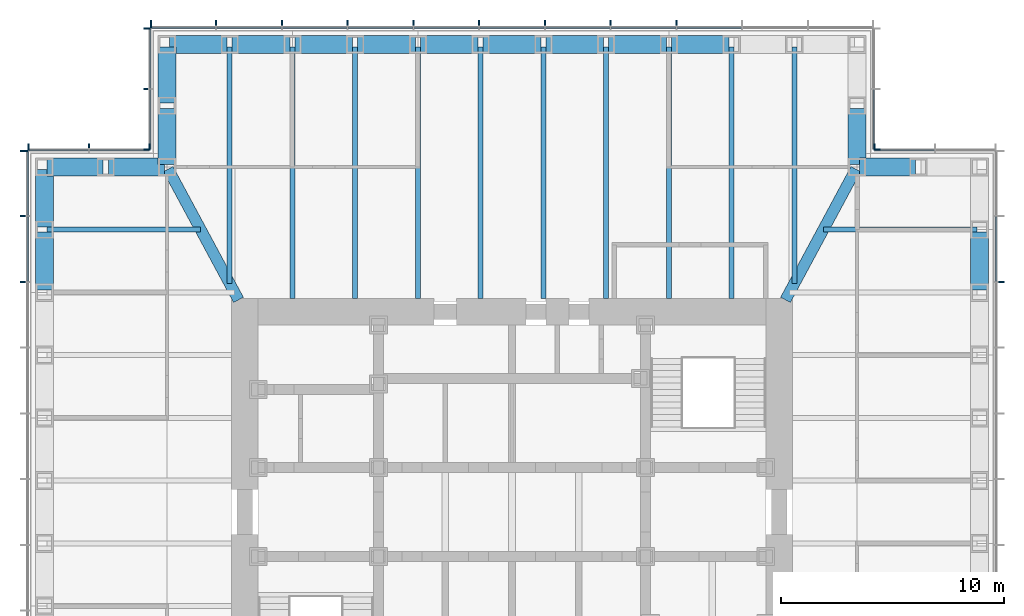
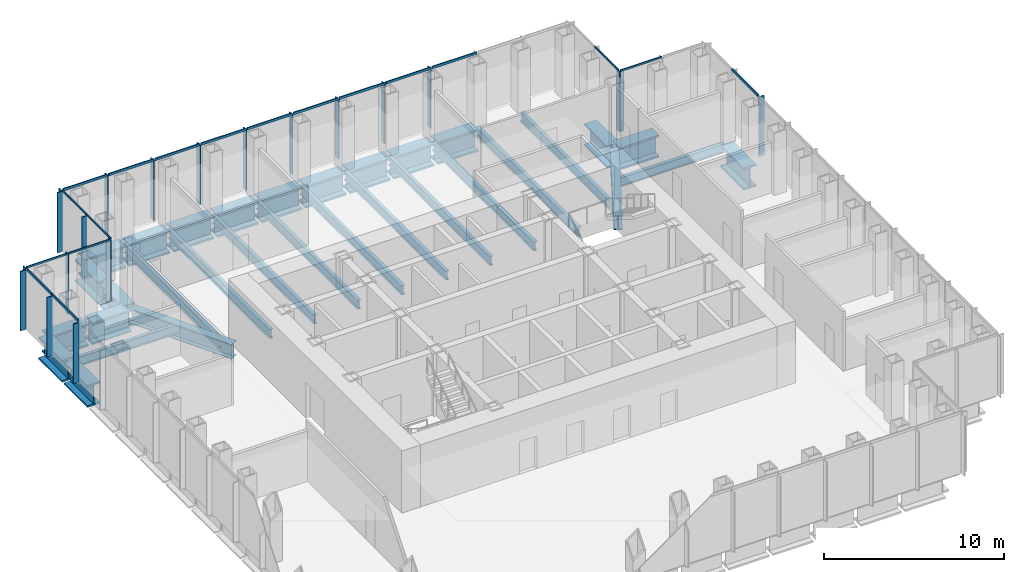
# One storey, part 5 of 16: 39 members, 32 beams, 7 elements without a shape of their own.
"""IFC4 building model written with IfcOpenShell, lengths in metres."""

import ifcopenshell
import ifcopenshell.guid

model = None  # the IFC model being written
_history = None  # IfcOwnerHistory: only IFC2X3 demands one
_inside = {}  # id of a spatial element -> (the spatial element, [elements in it])
_under = {}  # id of a project, library or spatial element -> (it, [spatial elements below it])
_declared = {}  # id of a project -> (the project, [libraries it declares])
_typed = {}  # id of a type object -> (the type object, [elements of that type])
_made_of = {}  # id of a material, layer set ... -> (it, [elements and type objects made of it])


def new_model(schema):
    """Start an empty IFC model of exactly this schema.

    Asked for "IFC4X3", IfcOpenShell would pick the latest addendum, in which some entities
    have other attributes; the version numbers below select the first issue.
    IFC2X3 requires an IfcOwnerHistory on every rooted entity: one is made here for all.
    """
    global model, _history
    if schema == "IFC4X3":
        model = ifcopenshell.file(schema_version=(4, 3, 0, 0))
    else:
        model = ifcopenshell.file(schema=schema)
    _inside.clear()
    _under.clear()
    _declared.clear()
    _typed.clear()
    _made_of.clear()
    _history = None
    if model.schema == "IFC2X3":
        org = make("IfcOrganization", Name="unknown")
        user = make(
            "IfcPersonAndOrganization",
            ThePerson=make("IfcPerson", FamilyName="unknown"),
            TheOrganization=org,
        )
        app = make(
            "IfcApplication",
            ApplicationDeveloper=org,
            Version="unknown",
            ApplicationFullName="unknown",
            ApplicationIdentifier="unknown",
        )
        _history = make(
            "IfcOwnerHistory",
            OwningUser=user,
            OwningApplication=app,
            ChangeAction="ADDED",
            CreationDate=0,
        )
    return model


def make(cls, **values):
    """One entity of the class cls with the attributes given. An attribute that is None is left unset."""
    return model.create_entity(
        cls, **{name: value for name, value in values.items() if value is not None}
    )


def rooted(cls, **values):
    """An entity with a GlobalId (a new one), such as an element, a storey or a relation."""
    return make(cls, GlobalId=ifcopenshell.guid.new(), OwnerHistory=_history, **values)


def si_unit(unit_type, name, prefix=None):
    """IfcSIUnit, for example si_unit("LENGTHUNIT", "METRE", prefix="MILLI")."""
    return make("IfcSIUnit", UnitType=unit_type, Prefix=prefix, Name=name)


def assignment(units):
    """IfcUnitAssignment: the units of a project."""
    return None if units is None else make("IfcUnitAssignment", Units=units)


def point(xyz):
    """IfcCartesianPoint."""
    return None if xyz is None else make("IfcCartesianPoint", Coordinates=xyz)


def direction(xyz):
    """IfcDirection."""
    return None if xyz is None else make("IfcDirection", DirectionRatios=xyz)


def frame(location, z_axis=None, x_axis=None):
    """IfcAxis2Placement3D, a coordinate frame: its origin and axes. An axis left out is left unset."""
    return make(
        "IfcAxis2Placement3D",
        Location=point(location),
        Axis=direction(z_axis),
        RefDirection=direction(x_axis),
    )


def frame_2d(location, x_axis=None):
    """IfcAxis2Placement2D, a coordinate frame in the plane: its origin and x axis."""
    return make(
        "IfcAxis2Placement2D", Location=point(location), RefDirection=direction(x_axis)
    )


def origin():
    """The frame at (0, 0, 0) with its axes left unset."""
    return frame((0.0, 0.0, 0.0))


def origin_2d():
    """The frame at (0, 0) in the plane with its x axis left unset."""
    return frame_2d((0.0, 0.0))


def place(relative_to, where):
    """IfcLocalPlacement: puts the frame where relative to a parent placement (None: the world)."""
    return make(
        "IfcLocalPlacement", PlacementRelTo=relative_to, RelativePlacement=where
    )


def context(
    kind, dimensions, precision=None, world=None, true_north=None, identifier=None
):
    """IfcGeometricRepresentationContext, for example the 3D "Model" context."""
    return make(
        "IfcGeometricRepresentationContext",
        ContextIdentifier=identifier,
        ContextType=kind,
        CoordinateSpaceDimension=dimensions,
        Precision=precision,
        WorldCoordinateSystem=world,
        TrueNorth=true_north,
    )


def subcontext(parent, identifier, kind, view, scale=None):
    """IfcGeometricRepresentationSubContext, for example "Body" below "Model"."""
    return make(
        "IfcGeometricRepresentationSubContext",
        ContextIdentifier=identifier,
        ContextType=kind,
        ParentContext=parent,
        TargetScale=scale,
        TargetView=view,
    )


def project(units=None, contexts=None):
    """IfcProject with its units and contexts."""
    return rooted(
        "IfcProject",
        Name="project",
        RepresentationContexts=contexts,
        UnitsInContext=assignment(units),
    )


def spatial(cls, under=None, at=None, **own):
    """A site, building, storey or space (cls), placed at a placement, below another one or the project."""
    s = rooted(cls, ObjectPlacement=at, **own)
    if under is not None:
        _under.setdefault(under.id(), (under, []))[1].append(s)
    return s


def profile(cls, at=None, kind="AREA", **sizes):
    """A parametric profile (cls). Its sizes go by their IFC names, for example OverallWidth=200.0."""
    return make(cls, ProfileType=kind, Position=at, **sizes)


def rectangle(**sizes):
    """IfcRectangleProfileDef."""
    return profile("IfcRectangleProfileDef", **sizes)


def i_section(**sizes):
    """IfcIShapeProfileDef."""
    return profile("IfcIShapeProfileDef", **sizes)


def extrude(swept, where, along, depth):
    """IfcExtrudedAreaSolid: the profile swept, set in the frame where, extruded along a direction by depth."""
    return make(
        "IfcExtrudedAreaSolid",
        SweptArea=swept,
        Position=where,
        ExtrudedDirection=direction(along),
        Depth=depth,
    )


def shape(context_of_items, identifier, shape_type, items):
    """IfcShapeRepresentation: the items that make up one representation, for example the "Body"."""
    return make(
        "IfcShapeRepresentation",
        ContextOfItems=context_of_items,
        RepresentationIdentifier=identifier,
        RepresentationType=shape_type,
        Items=items,
    )


def material(Name=None, Category=None):
    """IfcMaterial."""
    return make("IfcMaterial", Name=Name, Category=Category)


def material_profile(
    of_material, cross_section, Name=None, Category=None, Priority=None
):
    """IfcMaterialProfile: a cross section and its material."""
    return make(
        "IfcMaterialProfile",
        Name=Name,
        Material=of_material,
        Profile=cross_section,
        Priority=Priority,
        Category=Category,
    )


def profile_set(profiles, Name=None, composite=None):
    """IfcMaterialProfileSet."""
    return make(
        "IfcMaterialProfileSet",
        Name=Name,
        MaterialProfiles=profiles,
        CompositeProfile=composite,
    )


def made_of(thing, what):
    """Note that an element or type object is made of a material, layer set ...; save() writes the relation."""
    if what is not None:
        _made_of.setdefault(what.id(), (what, []))[1].append(thing)
    return thing


def type_object(cls, material=None, **own):
    """A type object (cls), such as IfcWallType, which elements share."""
    return made_of(rooted(cls, **own), material)


def element(
    cls,
    number,
    at=None,
    inside=None,
    cuts=None,
    type_object=None,
    material=None,
    context=None,
    identifier="Body",
    shape_type=None,
    held_by="IfcProductDefinitionShape",
    body=None,
    shapes=None,
    **own,
):
    """One element of the class cls, such as IfcWall. Its Tag is "e" and its number.

    at: its placement. inside: the storey or other place that contains it. cuts: it is an
    opening in that element (IfcRelVoidsElement). A single representation is given by context,
    identifier, shape_type and body (its items); several are given by shapes. held_by: the class
    of the entity that holds the representations. save() writes the other relations.
    """
    e = rooted(cls, Tag="e%d" % number, ObjectPlacement=at, **own)
    if body is not None:
        shapes = [shape(context, identifier, shape_type, body)]
    if shapes is not None:
        e.Representation = make(held_by, Representations=shapes)
    if inside is not None:
        _inside.setdefault(inside.id(), (inside, []))[1].append(e)
    if cuts is not None:
        rooted(
            "IfcRelVoidsElement", RelatingBuildingElement=cuts, RelatedOpeningElement=e
        )
    if type_object is not None:
        _typed.setdefault(type_object.id(), (type_object, []))[1].append(e)
    return made_of(e, material)


def aggregate(whole, parts):
    """IfcRelAggregates: a whole, such as a stair, and the parts it consists of."""
    return rooted("IfcRelAggregates", RelatingObject=whole, RelatedObjects=parts)


def save(model, path):
    """Write the relations noted so far, then the file.

    IfcRelAggregates (storeys below a building ...), IfcRelContainedInSpatialStructure (elements
    in a storey), IfcRelDefinesByType, IfcRelAssociatesMaterial and IfcRelDeclares: one each for
    every whole, place, type object, material and project.
    """
    for whole, parts in _under.values():
        aggregate(whole, parts)
    for where, things in _inside.values():
        rooted(
            "IfcRelContainedInSpatialStructure",
            RelatedElements=things,
            RelatingStructure=where,
        )
    for kind, things in _typed.values():
        rooted("IfcRelDefinesByType", RelatedObjects=things, RelatingType=kind)
    for what, things in _made_of.values():
        rooted("IfcRelAssociatesMaterial", RelatedObjects=things, RelatingMaterial=what)
    for by, libraries in _declared.values():
        rooted("IfcRelDeclares", RelatingContext=by, RelatedDefinitions=libraries)
    model.write(path)


model = new_model("IFC4")

# Units and contexts
model_context = context("Model", 3, precision=1e-05, world=origin(), true_north=direction((0.0, 1.0)))
body_context = subcontext(model_context, "Body", "Model", "MODEL_VIEW")
ifc_project = project(units=[si_unit("LENGTHUNIT", "METRE"), si_unit("AREAUNIT", "SQUARE_METRE"), si_unit("VOLUMEUNIT", "CUBIC_METRE"), si_unit("PLANEANGLEUNIT", "RADIAN"), si_unit("MASSUNIT", "GRAM", prefix="KILO")], contexts=[model_context])

# Site, building, storey
site_placement = place(None, origin())
site = spatial("IfcSite", under=ifc_project, at=site_placement, CompositionType="ELEMENT")
building_placement = place(site_placement, origin())
building = spatial("IfcBuilding", under=site, at=building_placement, Name="Daluyong Arena Tower", CompositionType="ELEMENT")
storey_placement = place(building_placement, frame((0.0, 0.0, 214.89990234375)))
storey = spatial("IfcBuildingStorey", under=building, at=storey_placement, Name="L48", CompositionType="ELEMENT", Elevation=214.89990234375)

# Curtain wall, member
ifc_material_1 = material(Name="Bronze anodised aluminium and glass", Category="aluminium")
curtain_wall_type_1 = type_object("IfcCurtainWallType", Name="Curtain wall CW3", PredefinedType="USERDEFINED", material=ifc_material_1)
curtain_wall_1_placement = place(storey_placement, origin())
curtain_wall_1 = element("IfcCurtainWall", 1, at=curtain_wall_1_placement, inside=storey, type_object=curtain_wall_type_1, Name="curtain wall L48 E", ObjectType="UNITISED CURTAIN WALL", PredefinedType="USERDEFINED")
ifc_material_2 = material(Name="Bronze anodised aluminium fin", Category="aluminium")
ifc_material_profile_1 = material_profile(ifc_material_2, rectangle(XDim=0.35009765625, YDim=0.070068359375, at=origin_2d()))
ifc_profile_set_1 = profile_set([ifc_material_profile_1], Name="Bronze anodised aluminium fin")
member_type_1 = type_object("IfcMemberType", Name="CW3 bronze fin 350x70", PredefinedType="MULLION", material=ifc_profile_set_1)
member_1_placement = place(storey_placement, frame((77.925048828125, 90.3408203125, 0.0), z_axis=(0.0, 0.0, 1.0), x_axis=(-1.0, 0.0, 0.0)))
member_1 = element("IfcMember", 2, at=member_1_placement, type_object=member_type_1, Name="curtain wall L48 E fin 10", PredefinedType="MULLION", context=body_context, shape_type="SweptSolid", body=[
    extrude(rectangle(XDim=0.35009765625, YDim=0.070068359375, at=origin_2d()), origin(), (0.0, 0.0, 1.0), 4.0400390625),
])

# Curtain wall, members
curtain_wall_2_placement = place(storey_placement, origin())
curtain_wall_2 = element("IfcCurtainWall", 3, at=curtain_wall_2_placement, inside=storey, type_object=curtain_wall_type_1, Name="curtain wall L48 N", ObjectType="UNITISED CURTAIN WALL", PredefinedType="USERDEFINED")
member_2_placement = place(storey_placement, frame((63.386474609375, 101.925048828125, 0.0), z_axis=(0.0, 0.0, 1.0), x_axis=(0.0, -1.0, 0.0)))
member_2 = element("IfcMember", 4, at=member_2_placement, type_object=member_type_1, Name="curtain wall L48 N fin 4", PredefinedType="MULLION", context=body_context, shape_type="SweptSolid", body=[
    extrude(rectangle(XDim=0.35009765625, YDim=0.070068359375, at=origin_2d()), origin(), (0.0, 0.0, 1.0), 4.0400390625),
])
member_3_placement = place(storey_placement, frame((60.431884765625, 101.925048828125, 0.0), z_axis=(0.0, 0.0, 1.0), x_axis=(0.0, -1.0, 0.0)))
member_3 = element("IfcMember", 5, at=member_3_placement, type_object=member_type_1, Name="curtain wall L48 N fin 5", PredefinedType="MULLION", context=body_context, shape_type="SweptSolid", body=[
    extrude(rectangle(XDim=0.35009765625, YDim=0.070068359375, at=origin_2d()), origin(), (0.0, 0.0, 1.0), 4.0400390625),
])
member_4_placement = place(storey_placement, frame((57.477294921875, 101.925048828125, 0.0), z_axis=(0.0, 0.0, 1.0), x_axis=(0.0, -1.0, 0.0)))
member_4 = element("IfcMember", 6, at=member_4_placement, type_object=member_type_1, Name="curtain wall L48 N fin 6", PredefinedType="MULLION", context=body_context, shape_type="SweptSolid", body=[
    extrude(rectangle(XDim=0.35009765625, YDim=0.070068359375, at=origin_2d()), origin(), (0.0, 0.0, 1.0), 4.0400390625),
])
member_5_placement = place(storey_placement, frame((54.522705078125, 101.925048828125, 0.0), z_axis=(0.0, 0.0, 1.0), x_axis=(0.0, -1.0, 0.0)))
member_5 = element("IfcMember", 7, at=member_5_placement, type_object=member_type_1, Name="curtain wall L48 N fin 7", PredefinedType="MULLION", context=body_context, shape_type="SweptSolid", body=[
    extrude(rectangle(XDim=0.35009765625, YDim=0.070068359375, at=origin_2d()), origin(), (0.0, 0.0, 1.0), 4.0400390625),
])
member_6_placement = place(storey_placement, frame((51.568115234375, 101.925048828125, 0.0), z_axis=(0.0, 0.0, 1.0), x_axis=(0.0, -1.0, 0.0)))
member_6 = element("IfcMember", 8, at=member_6_placement, type_object=member_type_1, Name="curtain wall L48 N fin 8", PredefinedType="MULLION", context=body_context, shape_type="SweptSolid", body=[
    extrude(rectangle(XDim=0.35009765625, YDim=0.070068359375, at=origin_2d()), origin(), (0.0, 0.0, 1.0), 4.0400390625),
])
member_7_placement = place(storey_placement, frame((48.613525390625, 101.925048828125, 0.0), z_axis=(0.0, 0.0, 1.0), x_axis=(0.0, -1.0, 0.0)))
member_7 = element("IfcMember", 9, at=member_7_placement, type_object=member_type_1, Name="curtain wall L48 N fin 9", PredefinedType="MULLION", context=body_context, shape_type="SweptSolid", body=[
    extrude(rectangle(XDim=0.35009765625, YDim=0.070068359375, at=origin_2d()), origin(), (0.0, 0.0, 1.0), 4.0400390625),
])
member_8_placement = place(storey_placement, frame((45.6591796875, 101.925048828125, 0.0), z_axis=(0.0, 0.0, 1.0), x_axis=(0.0, -1.0, 0.0)))
member_8 = element("IfcMember", 10, at=member_8_placement, type_object=member_type_1, Name="curtain wall L48 N fin 10", PredefinedType="MULLION", context=body_context, shape_type="SweptSolid", body=[
    extrude(rectangle(XDim=0.35009765625, YDim=0.070068359375, at=origin_2d()), origin(), (0.0, 0.0, 1.0), 4.0400390625),
])
member_9_placement = place(storey_placement, frame((42.70458984375, 101.925048828125, 0.0), z_axis=(0.0, 0.0, 1.0), x_axis=(0.0, -1.0, 0.0)))
member_9 = element("IfcMember", 11, at=member_9_placement, type_object=member_type_1, Name="curtain wall L48 N fin 11", PredefinedType="MULLION", context=body_context, shape_type="SweptSolid", body=[
    extrude(rectangle(XDim=0.35009765625, YDim=0.070068359375, at=origin_2d()), origin(), (0.0, 0.0, 1.0), 4.0400390625),
])
member_10_placement = place(storey_placement, frame((39.784912109375, 101.925048828125, 0.0), z_axis=(0.0, 0.0, 1.0), x_axis=(0.0, -1.0, 0.0)))
member_10 = element("IfcMember", 12, at=member_10_placement, type_object=member_type_1, Name="curtain wall L48 N fin 12", PredefinedType="MULLION", context=body_context, shape_type="SweptSolid", body=[
    extrude(rectangle(XDim=0.35009765625, YDim=0.070068359375, at=origin_2d()), origin(), (0.0, 0.0, 1.0), 4.0400390625),
])

curtain_wall_3_placement = place(storey_placement, origin())
curtain_wall_3 = element("IfcCurtainWall", 13, at=curtain_wall_3_placement, inside=storey, type_object=curtain_wall_type_1, Name="curtain wall L48 W", ObjectType="UNITISED CURTAIN WALL", PredefinedType="USERDEFINED")
member_11_placement = place(storey_placement, frame((34.074951171875, 96.215087890625, 0.0), z_axis=(0.0, 0.0, 1.0), x_axis=(1.0, 0.0, 0.0)))
member_11 = element("IfcMember", 14, at=member_11_placement, type_object=member_type_1, Name="curtain wall L48 W fin 1", PredefinedType="MULLION", context=body_context, shape_type="SweptSolid", body=[
    extrude(rectangle(XDim=0.35009765625, YDim=0.070068359375, at=origin_2d()), origin(), (0.0, 0.0, 1.0), 4.0400390625),
])
member_12_placement = place(storey_placement, frame((34.074951171875, 93.29541015625, 0.0), z_axis=(0.0, 0.0, 1.0), x_axis=(1.0, 0.0, 0.0)))
member_12 = element("IfcMember", 15, at=member_12_placement, type_object=member_type_1, Name="curtain wall L48 W fin 2", PredefinedType="MULLION", context=body_context, shape_type="SweptSolid", body=[
    extrude(rectangle(XDim=0.35009765625, YDim=0.070068359375, at=origin_2d()), origin(), (0.0, 0.0, 1.0), 4.0400390625),
])
member_13_placement = place(storey_placement, frame((34.074951171875, 90.3408203125, 0.0), z_axis=(0.0, 0.0, 1.0), x_axis=(1.0, 0.0, 0.0)))
member_13 = element("IfcMember", 16, at=member_13_placement, type_object=member_type_1, Name="curtain wall L48 W fin 3", PredefinedType="MULLION", context=body_context, shape_type="SweptSolid", body=[
    extrude(rectangle(XDim=0.35009765625, YDim=0.070068359375, at=origin_2d()), origin(), (0.0, 0.0, 1.0), 4.0400390625),
])

# Member
ifc_material_3 = material(Name="Bronze anodised aluminium", Category="aluminium")
ifc_material_profile_2 = material_profile(ifc_material_3, rectangle(XDim=0.070068359375, YDim=0.159912109375, at=origin_2d()))
ifc_profile_set_2 = profile_set([ifc_material_profile_2], Name="Bronze anodised aluminium")
member_type_2 = type_object("IfcMemberType", Name="CW3 stack transom 160x70", PredefinedType="USERDEFINED", material=ifc_profile_set_2)
member_14_placement = place(storey_placement, frame((77.75, 90.3759765625, 4.1201171875), z_axis=(0.0, 1.0, 0.0), x_axis=(-1.0, 0.0, 0.0)))
member_14 = element("IfcMember", 17, at=member_14_placement, type_object=member_type_2, Name="curtain wall L48 E transom 10", ObjectType="TRANSOM", PredefinedType="USERDEFINED", context=body_context, shape_type="SweptSolid", body=[
    extrude(rectangle(XDim=0.070068359375, YDim=0.159912109375, at=origin_2d()), origin(), (0.0, 0.0, 1.0), 2.884521484375),
])

aggregate(curtain_wall_1, [member_1, member_14])

member_15_placement = place(storey_placement, frame((66.305908203125, 101.75, 4.1201171875), z_axis=(-1.0, 0.0, 0.0), x_axis=(0.0, -1.0, 0.0)))
member_15 = element("IfcMember", 18, at=member_15_placement, type_object=member_type_2, Name="curtain wall L48 N transom 3", ObjectType="TRANSOM", PredefinedType="USERDEFINED", context=body_context, shape_type="SweptSolid", body=[
    extrude(rectangle(XDim=0.070068359375, YDim=0.159912109375, at=origin_2d()), origin(), (0.0, 0.0, 1.0), 2.884521484375),
])

member_16_placement = place(storey_placement, frame((63.351318359375, 101.75, 4.1201171875), z_axis=(-1.0, 0.0, 0.0), x_axis=(0.0, -1.0, 0.0)))
member_16 = element("IfcMember", 19, at=member_16_placement, type_object=member_type_2, Name="curtain wall L48 N transom 4", ObjectType="TRANSOM", PredefinedType="USERDEFINED", context=body_context, shape_type="SweptSolid", body=[
    extrude(rectangle(XDim=0.070068359375, YDim=0.159912109375, at=origin_2d()), origin(), (0.0, 0.0, 1.0), 2.884521484375),
])

member_17_placement = place(storey_placement, frame((60.396728515625, 101.75, 4.1201171875), z_axis=(-1.0, 0.0, 0.0), x_axis=(0.0, -1.0, 0.0)))
member_17 = element("IfcMember", 20, at=member_17_placement, type_object=member_type_2, Name="curtain wall L48 N transom 5", ObjectType="TRANSOM", PredefinedType="USERDEFINED", context=body_context, shape_type="SweptSolid", body=[
    extrude(rectangle(XDim=0.070068359375, YDim=0.159912109375, at=origin_2d()), origin(), (0.0, 0.0, 1.0), 2.884521484375),
])

member_18_placement = place(storey_placement, frame((57.4423828125, 101.75, 4.1201171875), z_axis=(-1.0, 0.0, 0.0), x_axis=(0.0, -1.0, 0.0)))
member_18 = element("IfcMember", 21, at=member_18_placement, type_object=member_type_2, Name="curtain wall L48 N transom 6", ObjectType="TRANSOM", PredefinedType="USERDEFINED", context=body_context, shape_type="SweptSolid", body=[
    extrude(rectangle(XDim=0.070068359375, YDim=0.159912109375, at=origin_2d()), origin(), (0.0, 0.0, 1.0), 2.884765625),
])

member_19_placement = place(storey_placement, frame((54.48779296875, 101.75, 4.1201171875), z_axis=(-1.0, 0.0, 0.0), x_axis=(0.0, -1.0, 0.0)))
member_19 = element("IfcMember", 22, at=member_19_placement, type_object=member_type_2, Name="curtain wall L48 N transom 7", ObjectType="TRANSOM", PredefinedType="USERDEFINED", context=body_context, shape_type="SweptSolid", body=[
    extrude(rectangle(XDim=0.070068359375, YDim=0.159912109375, at=origin_2d()), origin(), (0.0, 0.0, 1.0), 2.884521484375),
])

member_20_placement = place(storey_placement, frame((51.533203125, 101.75, 4.1201171875), z_axis=(-1.0, 0.0, 0.0), x_axis=(0.0, -1.0, 0.0)))
member_20 = element("IfcMember", 23, at=member_20_placement, type_object=member_type_2, Name="curtain wall L48 N transom 8", ObjectType="TRANSOM", PredefinedType="USERDEFINED", context=body_context, shape_type="SweptSolid", body=[
    extrude(rectangle(XDim=0.070068359375, YDim=0.159912109375, at=origin_2d()), origin(), (0.0, 0.0, 1.0), 2.884521484375),
])

member_21_placement = place(storey_placement, frame((48.57861328125, 101.75, 4.1201171875), z_axis=(-1.0, 0.0, 0.0), x_axis=(0.0, -1.0, 0.0)))
member_21 = element("IfcMember", 24, at=member_21_placement, type_object=member_type_2, Name="curtain wall L48 N transom 9", ObjectType="TRANSOM", PredefinedType="USERDEFINED", context=body_context, shape_type="SweptSolid", body=[
    extrude(rectangle(XDim=0.070068359375, YDim=0.159912109375, at=origin_2d()), origin(), (0.0, 0.0, 1.0), 2.884521484375),
])

member_22_placement = place(storey_placement, frame((45.6240234375, 101.75, 4.1201171875), z_axis=(-1.0, 0.0, 0.0), x_axis=(0.0, -1.0, 0.0)))
member_22 = element("IfcMember", 25, at=member_22_placement, type_object=member_type_2, Name="curtain wall L48 N transom 10", ObjectType="TRANSOM", PredefinedType="USERDEFINED", context=body_context, shape_type="SweptSolid", body=[
    extrude(rectangle(XDim=0.070068359375, YDim=0.159912109375, at=origin_2d()), origin(), (0.0, 0.0, 1.0), 2.884521484375),
])

member_23_placement = place(storey_placement, frame((42.66943359375, 101.75, 4.1201171875), z_axis=(-1.0, 0.0, 0.0), x_axis=(0.0, -1.0, 0.0)))
member_23 = element("IfcMember", 26, at=member_23_placement, type_object=member_type_2, Name="curtain wall L48 N transom 11", ObjectType="TRANSOM", PredefinedType="USERDEFINED", context=body_context, shape_type="SweptSolid", body=[
    extrude(rectangle(XDim=0.070068359375, YDim=0.159912109375, at=origin_2d()), origin(), (0.0, 0.0, 1.0), 2.849365234375),
])

aggregate(curtain_wall_2, [member_2, member_3, member_4, member_5, member_6, member_7, member_8, member_9, member_10, member_15, member_16, member_17, member_18, member_19, member_20, member_21, member_22, member_23])

member_24_placement = place(storey_placement, frame((34.25, 96.179931640625, 4.1201171875), z_axis=(0.0, -1.0, 0.0), x_axis=(1.0, 0.0, 0.0)))
member_24 = element("IfcMember", 27, at=member_24_placement, type_object=member_type_2, Name="curtain wall L48 W transom 1", ObjectType="TRANSOM", PredefinedType="USERDEFINED", context=body_context, shape_type="SweptSolid", body=[
    extrude(rectangle(XDim=0.070068359375, YDim=0.159912109375, at=origin_2d()), origin(), (0.0, 0.0, 1.0), 2.849365234375),
])

member_25_placement = place(storey_placement, frame((34.25, 93.260498046875, 4.1201171875), z_axis=(0.0, -1.0, 0.0), x_axis=(1.0, 0.0, 0.0)))
member_25 = element("IfcMember", 28, at=member_25_placement, type_object=member_type_2, Name="curtain wall L48 W transom 2", ObjectType="TRANSOM", PredefinedType="USERDEFINED", context=body_context, shape_type="SweptSolid", body=[
    extrude(rectangle(XDim=0.070068359375, YDim=0.159912109375, at=origin_2d()), origin(), (0.0, 0.0, 1.0), 2.884521484375),
])

aggregate(curtain_wall_3, [member_11, member_12, member_13, member_24, member_25])

# Curtain wall, member
ifc_material_4 = material(Name="Bronze anodised aluminium and glass", Category="aluminium")
curtain_wall_type_2 = type_object("IfcCurtainWallType", Name="Curtain wall CW7", PredefinedType="USERDEFINED", material=ifc_material_4)
curtain_wall_4_placement = place(storey_placement, origin())
curtain_wall_4 = element("IfcCurtainWall", 29, at=curtain_wall_4_placement, inside=storey, type_object=curtain_wall_type_2, Name="curtain wall L48 NE-N", ObjectType="UNITISED CURTAIN WALL", PredefinedType="USERDEFINED")
ifc_material_5 = material(Name="Bronze anodised aluminium fin", Category="aluminium")
ifc_material_profile_3 = material_profile(ifc_material_5, rectangle(XDim=0.300048828125, YDim=0.06005859375, at=origin_2d()))
ifc_profile_set_3 = profile_set([ifc_material_profile_3], Name="Bronze anodised aluminium fin")
member_type_3 = type_object("IfcMemberType", Name="CW7 bronze fin 300x60", PredefinedType="MULLION", material=ifc_profile_set_3)
member_26_placement = place(storey_placement, frame((72.280029296875, 96.39990234375, 0.0), z_axis=(0.0, 0.0, 1.0), x_axis=(0.0, -1.0, 0.0)))
member_26 = element("IfcMember", 30, at=member_26_placement, type_object=member_type_3, Name="curtain wall L48 NE-N fin 3", PredefinedType="MULLION", context=body_context, shape_type="SweptSolid", body=[
    extrude(rectangle(XDim=0.300048828125, YDim=0.06005859375, at=origin_2d()), origin(), (0.0, 0.0, 1.0), 4.080078125),
])

curtain_wall_5_placement = place(storey_placement, origin())
curtain_wall_5 = element("IfcCurtainWall", 31, at=curtain_wall_5_placement, inside=storey, type_object=curtain_wall_type_2, Name="curtain wall L48 NE-E", ObjectType="UNITISED CURTAIN WALL", PredefinedType="USERDEFINED")
member_27_placement = place(storey_placement, frame((72.39990234375, 96.280029296875, 0.0), z_axis=(0.0, 0.0, 1.0), x_axis=(-1.0, 0.0, 0.0)))
member_27 = element("IfcMember", 32, at=member_27_placement, type_object=member_type_3, Name="curtain wall L48 NE-E fin 1", PredefinedType="MULLION", context=body_context, shape_type="SweptSolid", body=[
    extrude(rectangle(XDim=0.300048828125, YDim=0.06005859375, at=origin_2d()), origin(), (0.0, 0.0, 1.0), 4.080078125),
])

# Curtain wall, members
curtain_wall_6_placement = place(storey_placement, origin())
curtain_wall_6 = element("IfcCurtainWall", 33, at=curtain_wall_6_placement, inside=storey, type_object=curtain_wall_type_2, Name="curtain wall L48 NW-W", ObjectType="UNITISED CURTAIN WALL", PredefinedType="USERDEFINED")
member_28_placement = place(storey_placement, frame((39.60009765625, 101.719970703125, 0.0), z_axis=(0.0, 0.0, 1.0), x_axis=(1.0, 0.0, 0.0)))
member_28 = element("IfcMember", 34, at=member_28_placement, type_object=member_type_3, Name="curtain wall L48 NW-W fin 1", PredefinedType="MULLION", context=body_context, shape_type="SweptSolid", body=[
    extrude(rectangle(XDim=0.300048828125, YDim=0.06005859375, at=origin_2d()), origin(), (0.0, 0.0, 1.0), 4.080078125),
])
member_29_placement = place(storey_placement, frame((39.60009765625, 99.0, 0.0), z_axis=(0.0, 0.0, 1.0), x_axis=(1.0, 0.0, 0.0)))
member_29 = element("IfcMember", 35, at=member_29_placement, type_object=member_type_3, Name="curtain wall L48 NW-W fin 2", PredefinedType="MULLION", context=body_context, shape_type="SweptSolid", body=[
    extrude(rectangle(XDim=0.300048828125, YDim=0.06005859375, at=origin_2d()), origin(), (0.0, 0.0, 1.0), 4.080078125),
])
member_30_placement = place(storey_placement, frame((39.60009765625, 96.280029296875, 0.0), z_axis=(0.0, 0.0, 1.0), x_axis=(1.0, 0.0, 0.0)))
member_30 = element("IfcMember", 36, at=member_30_placement, type_object=member_type_3, Name="curtain wall L48 NW-W fin 3", PredefinedType="MULLION", context=body_context, shape_type="SweptSolid", body=[
    extrude(rectangle(XDim=0.300048828125, YDim=0.06005859375, at=origin_2d()), origin(), (0.0, 0.0, 1.0), 4.080078125),
])

curtain_wall_7_placement = place(storey_placement, origin())
curtain_wall_7 = element("IfcCurtainWall", 37, at=curtain_wall_7_placement, inside=storey, type_object=curtain_wall_type_2, Name="curtain wall L48 NW-N", ObjectType="UNITISED CURTAIN WALL", PredefinedType="USERDEFINED")
member_31_placement = place(storey_placement, frame((39.719970703125, 96.39990234375, 0.0), z_axis=(0.0, 0.0, 1.0), x_axis=(0.0, -1.0, 0.0)))
member_31 = element("IfcMember", 38, at=member_31_placement, type_object=member_type_3, Name="curtain wall L48 NW-N fin 1", PredefinedType="MULLION", context=body_context, shape_type="SweptSolid", body=[
    extrude(rectangle(XDim=0.300048828125, YDim=0.06005859375, at=origin_2d()), origin(), (0.0, 0.0, 1.0), 4.080078125),
])
member_32_placement = place(storey_placement, frame((37.0, 96.39990234375, 0.0), z_axis=(0.0, 0.0, 1.0), x_axis=(0.0, -1.0, 0.0)))
member_32 = element("IfcMember", 39, at=member_32_placement, type_object=member_type_3, Name="curtain wall L48 NW-N fin 2", PredefinedType="MULLION", context=body_context, shape_type="SweptSolid", body=[
    extrude(rectangle(XDim=0.300048828125, YDim=0.06005859375, at=origin_2d()), origin(), (0.0, 0.0, 1.0), 4.080078125),
])
member_33_placement = place(storey_placement, frame((34.280029296875, 96.39990234375, 0.0), z_axis=(0.0, 0.0, 1.0), x_axis=(0.0, -1.0, 0.0)))
member_33 = element("IfcMember", 40, at=member_33_placement, type_object=member_type_3, Name="curtain wall L48 NW-N fin 3", PredefinedType="MULLION", context=body_context, shape_type="SweptSolid", body=[
    extrude(rectangle(XDim=0.300048828125, YDim=0.06005859375, at=origin_2d()), origin(), (0.0, 0.0, 1.0), 4.080078125),
])

# Member
ifc_material_6 = material(Name="Bronze anodised aluminium", Category="aluminium")
ifc_material_profile_4 = material_profile(ifc_material_6, rectangle(XDim=0.06005859375, YDim=0.1201171875, at=origin_2d()))
ifc_profile_set_4 = profile_set([ifc_material_profile_4], Name="Bronze anodised aluminium")
member_type_4 = type_object("IfcMemberType", Name="CW7 stack transom 120x60", PredefinedType="USERDEFINED", material=ifc_profile_set_4)
member_34_placement = place(storey_placement, frame((74.969970703125, 96.25, 4.14013671875), z_axis=(-1.0, 0.0, 0.0), x_axis=(0.0, -1.0, 0.0)))
member_34 = element("IfcMember", 41, at=member_34_placement, type_object=member_type_4, Name="curtain wall L48 NE-N transom 2", ObjectType="TRANSOM", PredefinedType="USERDEFINED", context=body_context, shape_type="SweptSolid", body=[
    extrude(rectangle(XDim=0.06005859375, YDim=0.1201171875, at=origin_2d()), origin(), (0.0, 0.0, 1.0), 2.659912109375),
])

aggregate(curtain_wall_4, [member_26, member_34])

member_35_placement = place(storey_placement, frame((72.25, 96.31005859375, 4.14013671875), z_axis=(0.0, 1.0, 0.0), x_axis=(-1.0, 0.0, 0.0)))
member_35 = element("IfcMember", 42, at=member_35_placement, type_object=member_type_4, Name="curtain wall L48 NE-E transom 1", ObjectType="TRANSOM", PredefinedType="USERDEFINED", context=body_context, shape_type="SweptSolid", body=[
    extrude(rectangle(XDim=0.06005859375, YDim=0.1201171875, at=origin_2d()), origin(), (0.0, 0.0, 1.0), 2.659912109375),
])

aggregate(curtain_wall_5, [member_27, member_35])

member_36_placement = place(storey_placement, frame((39.75, 101.68994140625, 4.14013671875), z_axis=(0.0, -1.0, 0.0), x_axis=(1.0, 0.0, 0.0)))
member_36 = element("IfcMember", 43, at=member_36_placement, type_object=member_type_4, Name="curtain wall L48 NW-W transom 1", ObjectType="TRANSOM", PredefinedType="USERDEFINED", context=body_context, shape_type="SweptSolid", body=[
    extrude(rectangle(XDim=0.06005859375, YDim=0.1201171875, at=origin_2d()), origin(), (0.0, 0.0, 1.0), 2.659912109375),
])

member_37_placement = place(storey_placement, frame((39.75, 98.969970703125, 4.14013671875), z_axis=(0.0, -1.0, 0.0), x_axis=(1.0, 0.0, 0.0)))
member_37 = element("IfcMember", 44, at=member_37_placement, type_object=member_type_4, Name="curtain wall L48 NW-W transom 2", ObjectType="TRANSOM", PredefinedType="USERDEFINED", context=body_context, shape_type="SweptSolid", body=[
    extrude(rectangle(XDim=0.06005859375, YDim=0.1201171875, at=origin_2d()), origin(), (0.0, 0.0, 1.0), 2.659912109375),
])

aggregate(curtain_wall_6, [member_28, member_29, member_30, member_36, member_37])

member_38_placement = place(storey_placement, frame((39.68994140625, 96.25, 4.14013671875), z_axis=(-1.0, 0.0, 0.0), x_axis=(0.0, -1.0, 0.0)))
member_38 = element("IfcMember", 45, at=member_38_placement, type_object=member_type_4, Name="curtain wall L48 NW-N transom 1", ObjectType="TRANSOM", PredefinedType="USERDEFINED", context=body_context, shape_type="SweptSolid", body=[
    extrude(rectangle(XDim=0.06005859375, YDim=0.1201171875, at=origin_2d()), origin(), (0.0, 0.0, 1.0), 2.659912109375),
])

member_39_placement = place(storey_placement, frame((36.969970703125, 96.25, 4.14013671875), z_axis=(-1.0, 0.0, 0.0), x_axis=(0.0, -1.0, 0.0)))
member_39 = element("IfcMember", 46, at=member_39_placement, type_object=member_type_4, Name="curtain wall L48 NW-N transom 2", ObjectType="TRANSOM", PredefinedType="USERDEFINED", context=body_context, shape_type="SweptSolid", body=[
    extrude(rectangle(XDim=0.06005859375, YDim=0.1201171875, at=origin_2d()), origin(), (0.0, 0.0, 1.0), 2.659912109375),
])

aggregate(curtain_wall_7, [member_31, member_32, member_33, member_38, member_39])

# Beams
ifc_material_7 = material(Name="Steel ASTM A572 Grade 50", Category="steel")
ifc_material_profile_5 = material_profile(ifc_material_7, i_section(OverallWidth=0.5, OverallDepth=1.0, WebThickness=0.03, FlangeThickness=0.06, at=origin_2d()))
ifc_profile_set_5 = profile_set([ifc_material_profile_5], Name="Steel ASTM A572 Grade 50")
beam_type_1 = type_object("IfcBeamType", Name="Corner girder TB1000X500", PredefinedType="BEAM", material=ifc_profile_set_5)
for number, where, z_axis, x_axis, name in (
    (47, (71.445556640625, 95.398681640625, -0.659912109375), (-0.474119475266, -0.880460517669, 0.0), (0.880460517669, -0.474119475266, 0.0), "corner girder DG2"),
    (48, (40.554443359375, 95.398681640625, -0.659912109375), (0.474119475266, -0.880460517669, 0.0), (0.880460517669, 0.474119475266, 0.0), "corner girder DG2"),
):
    element("IfcBeam", number, at=place(storey_placement, frame(where, z_axis=z_axis, x_axis=x_axis)), inside=storey, type_object=beam_type_1, Name=name, PredefinedType="BEAM", context=body_context, shape_type="SweptSolid", body=[
        extrude(i_section(OverallWidth=0.5, OverallDepth=1.0, WebThickness=0.03, FlangeThickness=0.06, at=origin_2d()), origin(), (0.0, 0.0, 1.0), 6.66748046875),
    ])
ifc_material_8 = material(Name="Steel ASTM A992 Grade 50", Category="steel")
ifc_material_profile_6 = material_profile(ifc_material_8, i_section(OverallWidth=0.22900390625, OverallDepth=0.612060546875, WebThickness=0.011962890625, FlangeThickness=0.01953125, at=origin_2d()))
ifc_profile_set_6 = profile_set([ifc_material_profile_6], Name="Steel ASTM A992 Grade 50")
beam_type_2 = type_object("IfcBeamType", Name="Floor beam W24X84", PredefinedType="BEAM", material=ifc_profile_set_6)
beam_1_placement = place(storey_placement, frame((76.885009765625, 92.681884765625, -0.466064453125), z_axis=(-1.0, 0.0, 0.0), x_axis=(0.0, -1.0, 0.0)))
element("IfcBeam", 49, at=beam_1_placement, inside=storey, type_object=beam_type_2, Name="floor beam FB3", PredefinedType="BEAM", context=body_context, shape_type="SweptSolid", body=[
    extrude(i_section(OverallWidth=0.22900390625, OverallDepth=0.612060546875, WebThickness=0.011962890625, FlangeThickness=0.01953125, at=origin_2d()), origin(), (0.0, 0.0, 1.0), 6.902587890625),
])
beam_2_placement = place(storey_placement, frame((68.681884765625, 100.885009765625, -0.466064453125), z_axis=(0.0, -1.0, 0.0), x_axis=(1.0, 0.0, 0.0)))
element("IfcBeam", 50, at=beam_2_placement, inside=storey, type_object=beam_type_2, Name="floor beam FB3", PredefinedType="BEAM", context=body_context, shape_type="SweptSolid", body=[
    extrude(i_section(OverallWidth=0.22900390625, OverallDepth=0.612060546875, WebThickness=0.011962890625, FlangeThickness=0.01953125, at=origin_2d()), origin(), (0.0, 0.0, 1.0), 10.618896484375),
])
for number, where, z_axis, x_axis, name in (
    (51, (65.863525390625, 100.885009765625, -0.466064453125), (0.0, -1.0, 0.0), (1.0, 0.0, 0.0), "floor beam FB3"),
    (52, (63.04541015625, 100.885009765625, -0.466064453125), (0.0, -1.0, 0.0), (1.0, 0.0, 0.0), "floor beam FB3"),
    (53, (60.227294921875, 100.885009765625, -0.466064453125), (0.0, -1.0, 0.0), (1.0, 0.0, 0.0), "floor beam FB3"),
    (54, (57.4091796875, 100.885009765625, -0.466064453125), (0.0, -1.0, 0.0), (1.0, 0.0, 0.0), "floor beam FB3"),
    (55, (54.5908203125, 100.885009765625, -0.466064453125), (0.0, -1.0, 0.0), (1.0, 0.0, 0.0), "floor beam FB3"),
    (56, (51.772705078125, 100.885009765625, -0.466064453125), (0.0, -1.0, 0.0), (1.0, 0.0, 0.0), "floor beam FB3"),
    (57, (48.95458984375, 100.885009765625, -0.466064453125), (0.0, -1.0, 0.0), (1.0, 0.0, 0.0), "floor beam FB3"),
    (58, (46.136474609375, 100.885009765625, -0.466064453125), (0.0, -1.0, 0.0), (1.0, 0.0, 0.0), "floor beam FB3"),
):
    element("IfcBeam", number, at=place(storey_placement, frame(where, z_axis=z_axis, x_axis=x_axis)), inside=storey, type_object=beam_type_2, Name=name, PredefinedType="BEAM", context=body_context, shape_type="SweptSolid", body=[
        extrude(i_section(OverallWidth=0.22900390625, OverallDepth=0.612060546875, WebThickness=0.011962890625, FlangeThickness=0.01953125, at=origin_2d()), origin(), (0.0, 0.0, 1.0), 11.284912109375),
    ])
beam_3_placement = place(storey_placement, frame((43.318115234375, 100.885009765625, -0.466064453125), z_axis=(0.0, -1.0, 0.0), x_axis=(1.0, 0.0, 0.0)))
element("IfcBeam", 59, at=beam_3_placement, inside=storey, type_object=beam_type_2, Name="floor beam FB3", PredefinedType="BEAM", context=body_context, shape_type="SweptSolid", body=[
    extrude(i_section(OverallWidth=0.22900390625, OverallDepth=0.612060546875, WebThickness=0.011962890625, FlangeThickness=0.01953125, at=origin_2d()), origin(), (0.0, 0.0, 1.0), 10.618896484375),
])
beam_4_placement = place(storey_placement, frame((35.114990234375, 92.681884765625, -0.466064453125), z_axis=(1.0, 0.0, 0.0), x_axis=(0.0, 1.0, 0.0)))
element("IfcBeam", 60, at=beam_4_placement, inside=storey, type_object=beam_type_2, Name="floor beam FB3", PredefinedType="BEAM", context=body_context, shape_type="SweptSolid", body=[
    extrude(i_section(OverallWidth=0.22900390625, OverallDepth=0.612060546875, WebThickness=0.011962890625, FlangeThickness=0.01953125, at=origin_2d()), origin(), (0.0, 0.0, 1.0), 6.902587890625),
])
ifc_material_9 = material(Name="Steel ASTM A588 Grade 50", Category="steel")
ifc_material_profile_7 = material_profile(ifc_material_9, i_section(OverallWidth=0.800048828125, OverallDepth=1.5, WebThickness=0.05, FlangeThickness=0.12, at=origin_2d()))
ifc_profile_set_7 = profile_set([ifc_material_profile_7], Name="Steel ASTM A588 Grade 50")
beam_type_3 = type_object("IfcBeamType", Name="Spandrel Z3 PG1500X800", PredefinedType="SPANDREL", material=ifc_profile_set_7)
beam_5_placement = place(storey_placement, frame((77.0, 89.978515625, -0.909912109375), z_axis=(0.0, 1.0, 0.0), x_axis=(-1.0, 0.0, 0.0)))
element("IfcBeam", 61, at=beam_5_placement, inside=storey, type_object=beam_type_3, Name="spandrel z3 SB7", PredefinedType="SPANDREL", context=body_context, shape_type="SweptSolid", body=[
    extrude(i_section(OverallWidth=0.800048828125, OverallDepth=1.5, WebThickness=0.05, FlangeThickness=0.12, at=origin_2d()), origin(), (0.0, 0.0, 1.0), 2.58837890625),
])
for number, where, z_axis, x_axis, name in (
    (62, (74.135009765625, 95.5, -0.909912109375), (-1.0, 0.0, 0.0), (0.0, -1.0, 0.0), "spandrel z3 SB7"),
    (63, (71.5, 95.614990234375, -0.909912109375), (0.0, 1.0, 0.0), (-1.0, 0.0, 0.0), "spandrel z3 SB7"),
):
    element("IfcBeam", number, at=place(storey_placement, frame(where, z_axis=z_axis, x_axis=x_axis)), inside=storey, type_object=beam_type_3, Name=name, PredefinedType="SPANDREL", context=body_context, shape_type="SweptSolid", body=[
        extrude(i_section(OverallWidth=0.800048828125, OverallDepth=1.5, WebThickness=0.05, FlangeThickness=0.12, at=origin_2d()), origin(), (0.0, 0.0, 1.0), 2.52001953125),
    ])
for number, where, z_axis, x_axis, name in (
    (64, (65.74853515625, 101.0, -0.909912109375), (-1.0, 0.0, 0.0), (0.0, -1.0, 0.0), "spandrel z3 SB7"),
    (65, (62.930419921875, 101.0, -0.909912109375), (-1.0, 0.0, 0.0), (0.0, -1.0, 0.0), "spandrel z3 SB7"),
    (66, (60.1123046875, 101.0, -0.909912109375), (-1.0, 0.0, 0.0), (0.0, -1.0, 0.0), "spandrel z3 SB7"),
):
    element("IfcBeam", number, at=place(storey_placement, frame(where, z_axis=z_axis, x_axis=x_axis)), inside=storey, type_object=beam_type_3, Name=name, PredefinedType="SPANDREL", context=body_context, shape_type="SweptSolid", body=[
        extrude(i_section(OverallWidth=0.800048828125, OverallDepth=1.5, WebThickness=0.05, FlangeThickness=0.12, at=origin_2d()), origin(), (0.0, 0.0, 1.0), 2.588134765625),
    ])
beam_6_placement = place(storey_placement, frame((57.294189453125, 101.0, -0.909912109375), z_axis=(-1.0, 0.0, 0.0), x_axis=(0.0, -1.0, 0.0)))
element("IfcBeam", 67, at=beam_6_placement, inside=storey, type_object=beam_type_3, Name="spandrel z3 SB7", PredefinedType="SPANDREL", context=body_context, shape_type="SweptSolid", body=[
    extrude(i_section(OverallWidth=0.800048828125, OverallDepth=1.5, WebThickness=0.05, FlangeThickness=0.12, at=origin_2d()), origin(), (0.0, 0.0, 1.0), 2.58837890625),
])
for number, where, z_axis, x_axis, name in (
    (68, (54.475830078125, 101.0, -0.909912109375), (-1.0, 0.0, 0.0), (0.0, -1.0, 0.0), "spandrel z3 SB7"),
    (69, (51.65771484375, 101.0, -0.909912109375), (-1.0, 0.0, 0.0), (0.0, -1.0, 0.0), "spandrel z3 SB7"),
    (70, (48.839599609375, 101.0, -0.909912109375), (-1.0, 0.0, 0.0), (0.0, -1.0, 0.0), "spandrel z3 SB7"),
):
    element("IfcBeam", number, at=place(storey_placement, frame(where, z_axis=z_axis, x_axis=x_axis)), inside=storey, type_object=beam_type_3, Name=name, PredefinedType="SPANDREL", context=body_context, shape_type="SweptSolid", body=[
        extrude(i_section(OverallWidth=0.800048828125, OverallDepth=1.5, WebThickness=0.05, FlangeThickness=0.12, at=origin_2d()), origin(), (0.0, 0.0, 1.0), 2.588134765625),
    ])
beam_7_placement = place(storey_placement, frame((46.021484375, 101.0, -0.909912109375), z_axis=(-1.0, 0.0, 0.0), x_axis=(0.0, -1.0, 0.0)))
element("IfcBeam", 71, at=beam_7_placement, inside=storey, type_object=beam_type_3, Name="spandrel z3 SB7", PredefinedType="SPANDREL", context=body_context, shape_type="SweptSolid", body=[
    extrude(i_section(OverallWidth=0.800048828125, OverallDepth=1.5, WebThickness=0.05, FlangeThickness=0.12, at=origin_2d()), origin(), (0.0, 0.0, 1.0), 2.58837890625),
])
beam_8_placement = place(storey_placement, frame((43.203125, 101.0, -0.909912109375), z_axis=(-1.0, 0.0, 0.0), x_axis=(0.0, -1.0, 0.0)))
element("IfcBeam", 72, at=beam_8_placement, inside=storey, type_object=beam_type_3, Name="spandrel z3 SB7", PredefinedType="SPANDREL", context=body_context, shape_type="SweptSolid", body=[
    extrude(i_section(OverallWidth=0.800048828125, OverallDepth=1.5, WebThickness=0.05, FlangeThickness=0.12, at=origin_2d()), origin(), (0.0, 0.0, 1.0), 2.588134765625),
])
for number, where, z_axis, x_axis, name in (
    (73, (40.5, 100.885009765625, -0.909912109375), (0.0, -1.0, 0.0), (1.0, 0.0, 0.0), "spandrel z3 SB7"),
    (74, (40.5, 98.135009765625, -0.909912109375), (0.0, -1.0, 0.0), (1.0, 0.0, 0.0), "spandrel z3 SB7"),
    (75, (40.385009765625, 95.5, -0.909912109375), (-1.0, 0.0, 0.0), (0.0, -1.0, 0.0), "spandrel z3 SB7"),
    (76, (37.635009765625, 95.5, -0.909912109375), (-1.0, 0.0, 0.0), (0.0, -1.0, 0.0), "spandrel z3 SB7"),
):
    element("IfcBeam", number, at=place(storey_placement, frame(where, z_axis=z_axis, x_axis=x_axis)), inside=storey, type_object=beam_type_3, Name=name, PredefinedType="SPANDREL", context=body_context, shape_type="SweptSolid", body=[
        extrude(i_section(OverallWidth=0.800048828125, OverallDepth=1.5, WebThickness=0.05, FlangeThickness=0.12, at=origin_2d()), origin(), (0.0, 0.0, 1.0), 2.52001953125),
    ])
beam_9_placement = place(storey_placement, frame((35.0, 95.385009765625, -0.909912109375), z_axis=(0.0, -1.0, 0.0), x_axis=(1.0, 0.0, 0.0)))
element("IfcBeam", 77, at=beam_9_placement, inside=storey, type_object=beam_type_3, Name="spandrel z3 SB7", PredefinedType="SPANDREL", context=body_context, shape_type="SweptSolid", body=[
    extrude(i_section(OverallWidth=0.800048828125, OverallDepth=1.5, WebThickness=0.05, FlangeThickness=0.12, at=origin_2d()), origin(), (0.0, 0.0, 1.0), 2.588134765625),
])
beam_10_placement = place(storey_placement, frame((35.0, 92.56689453125, -0.909912109375), z_axis=(0.0, -1.0, 0.0), x_axis=(1.0, 0.0, 0.0)))
element("IfcBeam", 78, at=beam_10_placement, inside=storey, type_object=beam_type_3, Name="spandrel z3 SB7", PredefinedType="SPANDREL", context=body_context, shape_type="SweptSolid", body=[
    extrude(i_section(OverallWidth=0.800048828125, OverallDepth=1.5, WebThickness=0.05, FlangeThickness=0.12, at=origin_2d()), origin(), (0.0, 0.0, 1.0), 2.58837890625),
])

save(model, "model.ifc")
